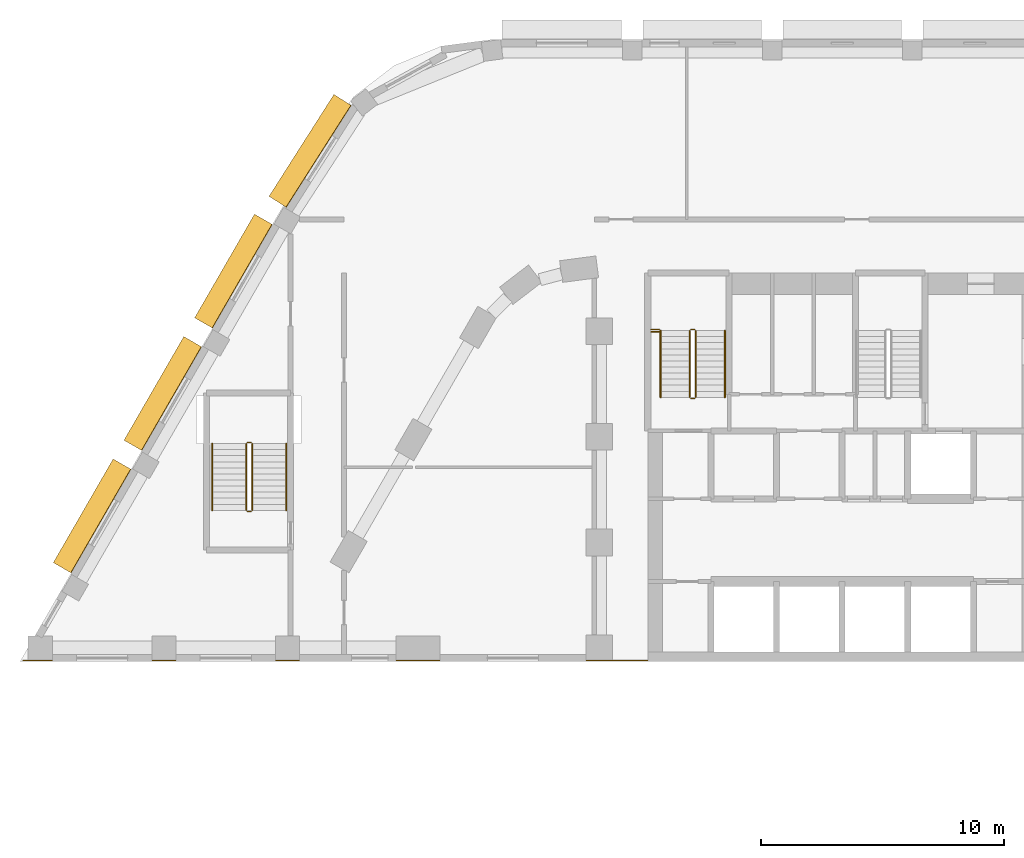
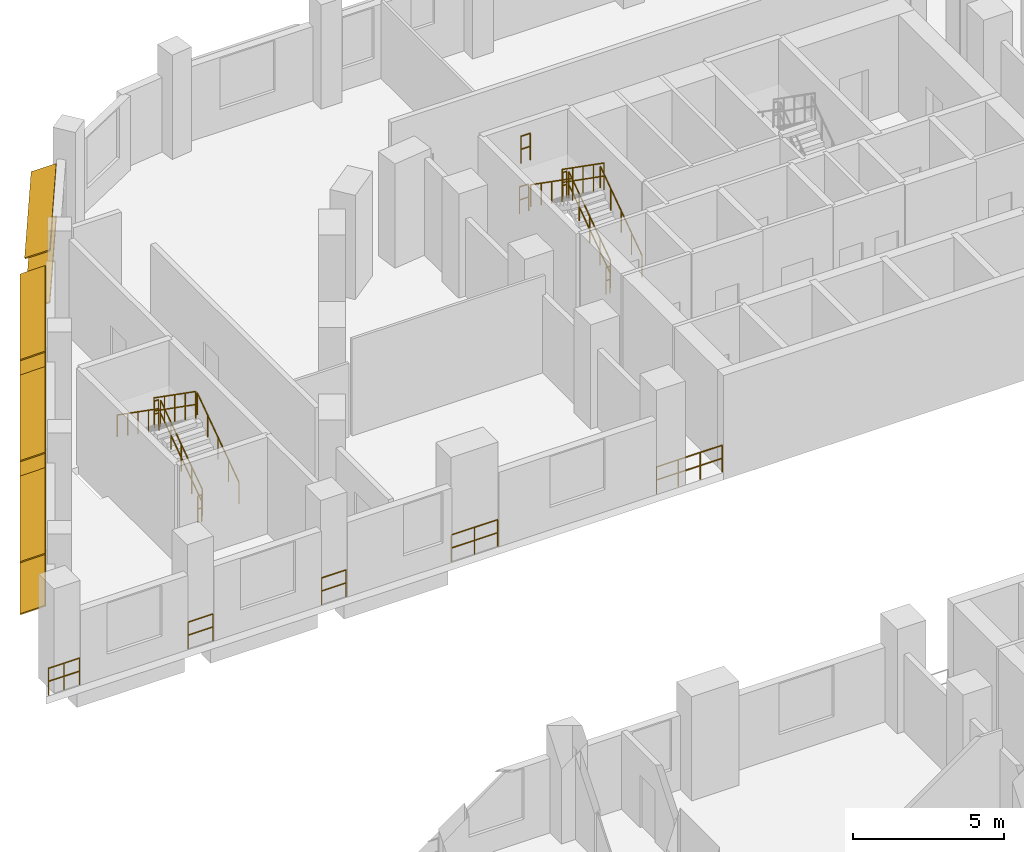
# One storey, part 41 of 47: 19 railings, 8 shading devices.
"""IFC4 building model written with IfcOpenShell, lengths in metres."""

from ifc_helpers import new_model, si_unit, direction, frame, origin, origin_2d, place, context, subcontext, project, spatial, rectangle, circle, extrude, material, material_profile, profile_set, type_object, element, save


model = new_model("IFC4")

# Units and contexts
model_context = context("Model", 3, precision=1e-05, world=origin(), true_north=direction((0.0, 1.0)))
body_context = subcontext(model_context, "Body", "Model", "MODEL_VIEW")
ifc_project = project(units=[si_unit("LENGTHUNIT", "METRE"), si_unit("AREAUNIT", "SQUARE_METRE"), si_unit("VOLUMEUNIT", "CUBIC_METRE"), si_unit("PLANEANGLEUNIT", "RADIAN"), si_unit("MASSUNIT", "GRAM", prefix="KILO")], contexts=[model_context])

# Site, building, storey
site_placement = place(None, origin())
site = spatial("IfcSite", under=ifc_project, at=site_placement, CompositionType="ELEMENT")
building_placement = place(site_placement, origin())
building = spatial("IfcBuilding", under=site, at=building_placement, Name="Nakaniwa Court", CompositionType="ELEMENT")
storey_placement = place(building_placement, frame((0.0, 0.0, 15.60009765625)))
storey = spatial("IfcBuildingStorey", under=building, at=storey_placement, Name="L03", CompositionType="ELEMENT", Elevation=15.60009765625)

# Shading devices
ifc_material_1 = material(Name="Perforated charcoal ceramic louvre blade")
ifc_material_profile = material_profile(ifc_material_1, rectangle(XDim=0.89990234375, YDim=0.050048828125, at=origin_2d()), Name="Perforated ceramic louvre blade")
ifc_profile_set = profile_set([ifc_material_profile], Name="Perforated charcoal ceramic louvre blade")
shading_device_type = type_object("IfcShadingDeviceType", Name="Perforated ceramic louvre blade", PredefinedType="JALOUSIE", material=ifc_profile_set)
for number, where, z_axis, x_axis, name in (
    (1, (56.184814453125, 105.6015625, 0.5498046875), (-0.499988503985, -0.86603204091, 0.0), (0.800109277096, -0.461929145323, 0.382683432365), "L03 perforated ceramic louvre blade w27 1"),
    (2, (56.184814453125, 105.6015625, 2.64990234375), (-0.499988503985, -0.86603204091, 0.0), (0.800109277096, -0.461929145323, 0.382683432365), "L03 perforated ceramic louvre blade w27 2"),
    (3, (53.2763671875, 100.564208984375, 0.5498046875), (-0.499951322638, -0.866053505849, 0.0), (0.800129108113, -0.461894794237, 0.382683432365), "L03 perforated ceramic louvre blade w28 1"),
    (4, (53.2763671875, 100.564208984375, 2.64990234375), (-0.499951322638, -0.866053505849, 0.0), (0.800129108113, -0.461894794237, 0.382683432365), "L03 perforated ceramic louvre blade w28 2"),
    (5, (50.3681640625, 95.526611328125, 0.5498046875), (-0.500009969958, -0.86601964755, 0.0), (0.800097827124, -0.461948977295, 0.382683432365), "L03 perforated ceramic louvre blade w29 1"),
    (6, (50.3681640625, 95.526611328125, 2.64990234375), (-0.500009969958, -0.86601964755, 0.0), (0.800097827124, -0.461948977295, 0.382683432365), "L03 perforated ceramic louvre blade w29 2"),
):
    element("IfcShadingDevice", number, at=place(storey_placement, frame(where, z_axis=z_axis, x_axis=x_axis)), inside=storey, type_object=shading_device_type, Name=name, PredefinedType="JALOUSIE", context=body_context, shape_type="SweptSolid", body=[
        extrude(rectangle(XDim=0.89990234375, YDim=0.050048828125, at=origin_2d()), origin(), (0.0, 0.0, 1.0), 4.9248046875),
    ])
for number, where, z_axis, x_axis, name in (
    (7, (59.44287109375, 110.513427734375, 0.5498046875), (-0.537237750098, -0.843430850675, 0.0), (0.775805827955, -0.494162831713, 0.392337116604), "L03 perforated ceramic louvre blade w53 1"),
    (8, (59.44287109375, 110.513427734375, 2.64990234375), (-0.537237750098, -0.843430850675, 0.0), (0.775805827955, -0.494162831713, 0.392337116604), "L03 perforated ceramic louvre blade w53 2"),
):
    element("IfcShadingDevice", number, at=place(storey_placement, frame(where, z_axis=z_axis, x_axis=x_axis)), inside=storey, type_object=shading_device_type, Name=name, PredefinedType="JALOUSIE", context=body_context, shape_type="SweptSolid", body=[
        extrude(rectangle(XDim=0.89990234375, YDim=0.050048828125, at=origin_2d()), origin(), (0.0, 0.0, 1.0), 4.970703125),
    ])

# Railings
ifc_material_2 = material(Name="Black powder coated steel guard", Category="steel")
railing_type_1 = type_object("IfcRailingType", Name="Stair guard 1100", PredefinedType="GUARDRAIL", material=ifc_material_2)
railing_1_placement = place(storey_placement, frame((73.97509765625, 98.27490234375, 0.1748046875)))
element("IfcRailing", 9, at=railing_1_placement, inside=storey, type_object=railing_type_1, Name="L03 ST1 stair guard 1", PredefinedType="GUARDRAIL", context=body_context, shape_type="SweptSolid", body=[
    extrude(circle(Radius=0.02392578125, at=origin_2d()), frame((0.0, 0.0, 1.076171875), z_axis=(0.0, 0.819225086817, 0.573472106672), x_axis=(-1.0, 0.0, 0.0)), (0.0, 0.0, 1.0), 3.35693359375),
    extrude(circle(Radius=0.02392578125, at=origin_2d()), frame((0.0, 0.0, 0.550048828125), z_axis=(0.0, 0.819225086817, 0.573472106672), x_axis=(-1.0, 0.0, 0.0)), (0.0, 0.0, 1.0), 3.35693359375),
    extrude(circle(Radius=0.02099609375, at=origin_2d()), origin(), (0.0, 0.0, 1.0), 1.052001953125),
    extrude(circle(Radius=0.02099609375, at=origin_2d()), frame((0.0, 0.6875, 0.481201171875)), (0.0, 0.0, 1.0), 1.052001953125),
    extrude(circle(Radius=0.02099609375, at=origin_2d()), frame((0.0, 1.375, 0.96240234375)), (0.0, 0.0, 1.0), 1.052001953125),
    extrude(circle(Radius=0.02099609375, at=origin_2d()), frame((0.0, 2.0625, 1.44384765625)), (0.0, 0.0, 1.0), 1.052001953125),
    extrude(circle(Radius=0.02099609375, at=origin_2d()), frame((0.0, 2.75, 1.925048828125)), (0.0, 0.0, 1.0), 1.052001953125),
])
railing_2_placement = place(storey_placement, frame((73.925048828125, 101.074951171875, 2.099853515625)))
element("IfcRailing", 10, at=railing_2_placement, inside=storey, type_object=railing_type_1, Name="L03 ST1 stair guard 2", PredefinedType="GUARDRAIL", context=body_context, shape_type="SweptSolid", body=[
    extrude(circle(Radius=0.02392578125, at=origin_2d()), frame((0.0, 0.0, 1.076171875), z_axis=(-1.0, 0.0, 0.0), x_axis=(0.0, -1.0, 0.0)), (0.0, 0.0, 1.0), 0.150146484375),
    extrude(circle(Radius=0.02392578125, at=origin_2d()), frame((0.0, 0.0, 0.550048828125), z_axis=(-1.0, 0.0, 0.0), x_axis=(0.0, -1.0, 0.0)), (0.0, 0.0, 1.0), 0.150146484375),
    extrude(circle(Radius=0.02099609375, at=origin_2d()), origin(), (0.0, 0.0, 1.0), 1.052001953125),
    extrude(circle(Radius=0.02099609375, at=origin_2d()), frame((-0.150146484375, 0.0, 0.0)), (0.0, 0.0, 1.0), 1.052001953125),
])
railing_3_placement = place(storey_placement, frame((73.72509765625, 101.02490234375, 2.27490234375)))
element("IfcRailing", 11, at=railing_3_placement, inside=storey, type_object=railing_type_1, Name="L03 ST1 stair guard 3", PredefinedType="GUARDRAIL", context=body_context, shape_type="SweptSolid", body=[
    extrude(circle(Radius=0.02392578125, at=origin_2d()), frame((0.0, 0.0, 1.076171875), z_axis=(0.0, -0.819225086817, 0.573472106672), x_axis=(1.0, 0.0, 0.0)), (0.0, 0.0, 1.0), 3.35693359375),
    extrude(circle(Radius=0.02392578125, at=origin_2d()), frame((0.0, 0.0, 0.550048828125), z_axis=(0.0, -0.819225086817, 0.573472106672), x_axis=(1.0, 0.0, 0.0)), (0.0, 0.0, 1.0), 3.35693359375),
    extrude(circle(Radius=0.02099609375, at=origin_2d()), origin(), (0.0, 0.0, 1.0), 1.052001953125),
    extrude(circle(Radius=0.02099609375, at=origin_2d()), frame((0.0, -0.6875, 0.481201171875)), (0.0, 0.0, 1.0), 1.052001953125),
    extrude(circle(Radius=0.02099609375, at=origin_2d()), frame((0.0, -1.375, 0.96240234375)), (0.0, 0.0, 1.0), 1.052001953125),
    extrude(circle(Radius=0.02099609375, at=origin_2d()), frame((0.0, -2.0625, 1.44384765625)), (0.0, 0.0, 1.0), 1.052001953125),
    extrude(circle(Radius=0.02099609375, at=origin_2d()), frame((0.0, -2.75, 1.925048828125)), (0.0, 0.0, 1.0), 1.052001953125),
])
railing_4_placement = place(storey_placement, frame((73.925048828125, 98.22509765625, 0.0)))
element("IfcRailing", 12, at=railing_4_placement, inside=storey, type_object=railing_type_1, Name="L03 ST1 stair guard 4", PredefinedType="GUARDRAIL", context=body_context, shape_type="SweptSolid", body=[
    extrude(circle(Radius=0.02392578125, at=origin_2d()), frame((0.0, 0.0, 1.076171875), z_axis=(-1.0, 0.0, 0.0), x_axis=(0.0, -1.0, 0.0)), (0.0, 0.0, 1.0), 0.150146484375),
    extrude(circle(Radius=0.02392578125, at=origin_2d()), frame((0.0, 0.0, 0.550048828125), z_axis=(-1.0, 0.0, 0.0), x_axis=(0.0, -1.0, 0.0)), (0.0, 0.0, 1.0), 0.150146484375),
    extrude(circle(Radius=0.02099609375, at=origin_2d()), origin(), (0.0, 0.0, 1.0), 1.052001953125),
    extrude(circle(Radius=0.02099609375, at=origin_2d()), frame((-0.150146484375, 0.0, 0.0)), (0.0, 0.0, 1.0), 1.052001953125),
])
for number, where, name in (
    (13, (72.125, 101.074951171875, 2.099853515625), "L03 ST1 landing side guard 1W"),
    (14, (72.125, 100.97509765625, 4.199951171875), "L03 ST1 floor edge guard 1W"),
):
    element("IfcRailing", number, at=place(storey_placement, frame(where)), inside=storey, type_object=railing_type_1, Name=name, PredefinedType="GUARDRAIL", context=body_context, shape_type="SweptSolid", body=[
        extrude(circle(Radius=0.02392578125, at=origin_2d()), frame((0.0, 0.0, 1.076171875), z_axis=(1.0, 0.0, 0.0), x_axis=(0.0, 1.0, 0.0)), (0.0, 0.0, 1.0), 0.35009765625),
        extrude(circle(Radius=0.02392578125, at=origin_2d()), frame((0.0, 0.0, 0.550048828125), z_axis=(1.0, 0.0, 0.0), x_axis=(0.0, 1.0, 0.0)), (0.0, 0.0, 1.0), 0.35009765625),
        extrude(circle(Radius=0.02099609375, at=origin_2d()), origin(), (0.0, 0.0, 1.0), 1.052001953125),
        extrude(circle(Radius=0.02099609375, at=origin_2d()), frame((0.35009765625, 0.0, 0.0)), (0.0, 0.0, 1.0), 1.052001953125),
    ])
railing_5_placement = place(storey_placement, frame((55.72509765625, 93.625, 0.1748046875)))
element("IfcRailing", 15, at=railing_5_placement, inside=storey, type_object=railing_type_1, Name="L03 SS2 stair guard 1", PredefinedType="GUARDRAIL", context=body_context, shape_type="SweptSolid", body=[
    extrude(circle(Radius=0.02392578125, at=origin_2d()), frame((0.0, 0.0, 1.076171875), z_axis=(0.0, 0.819225086817, 0.573472106672), x_axis=(-1.0, 0.0, 0.0)), (0.0, 0.0, 1.0), 3.35693359375),
    extrude(circle(Radius=0.02392578125, at=origin_2d()), frame((0.0, 0.0, 0.550048828125), z_axis=(0.0, 0.819225086817, 0.573472106672), x_axis=(-1.0, 0.0, 0.0)), (0.0, 0.0, 1.0), 3.35693359375),
    extrude(circle(Radius=0.02099609375, at=origin_2d()), origin(), (0.0, 0.0, 1.0), 1.052001953125),
    extrude(circle(Radius=0.02099609375, at=origin_2d()), frame((0.0, 0.6875, 0.481201171875)), (0.0, 0.0, 1.0), 1.052001953125),
    extrude(circle(Radius=0.02099609375, at=origin_2d()), frame((0.0, 1.375, 0.96240234375)), (0.0, 0.0, 1.0), 1.052001953125),
    extrude(circle(Radius=0.02099609375, at=origin_2d()), frame((0.0, 2.0625, 1.44384765625)), (0.0, 0.0, 1.0), 1.052001953125),
    extrude(circle(Radius=0.02099609375, at=origin_2d()), frame((0.0, 2.75, 1.925048828125)), (0.0, 0.0, 1.0), 1.052001953125),
])
railing_6_placement = place(storey_placement, frame((55.675048828125, 96.425048828125, 2.099853515625)))
element("IfcRailing", 16, at=railing_6_placement, inside=storey, type_object=railing_type_1, Name="L03 SS2 stair guard 2", PredefinedType="GUARDRAIL", context=body_context, shape_type="SweptSolid", body=[
    extrude(circle(Radius=0.02392578125, at=origin_2d()), frame((0.0, 0.0, 1.076171875), z_axis=(-1.0, 0.0, 0.0), x_axis=(0.0, -1.0, 0.0)), (0.0, 0.0, 1.0), 0.150146484375),
    extrude(circle(Radius=0.02392578125, at=origin_2d()), frame((0.0, 0.0, 0.550048828125), z_axis=(-1.0, 0.0, 0.0), x_axis=(0.0, -1.0, 0.0)), (0.0, 0.0, 1.0), 0.150146484375),
    extrude(circle(Radius=0.02099609375, at=origin_2d()), origin(), (0.0, 0.0, 1.0), 1.052001953125),
    extrude(circle(Radius=0.02099609375, at=origin_2d()), frame((-0.150146484375, 0.0, 0.0)), (0.0, 0.0, 1.0), 1.052001953125),
])
railing_7_placement = place(storey_placement, frame((55.47509765625, 96.375, 2.27490234375)))
element("IfcRailing", 17, at=railing_7_placement, inside=storey, type_object=railing_type_1, Name="L03 SS2 stair guard 3", PredefinedType="GUARDRAIL", context=body_context, shape_type="SweptSolid", body=[
    extrude(circle(Radius=0.02392578125, at=origin_2d()), frame((0.0, 0.0, 1.076171875), z_axis=(0.0, -0.819225086817, 0.573472106672), x_axis=(1.0, 0.0, 0.0)), (0.0, 0.0, 1.0), 3.35693359375),
    extrude(circle(Radius=0.02392578125, at=origin_2d()), frame((0.0, 0.0, 0.550048828125), z_axis=(0.0, -0.819225086817, 0.573472106672), x_axis=(1.0, 0.0, 0.0)), (0.0, 0.0, 1.0), 3.35693359375),
    extrude(circle(Radius=0.02099609375, at=origin_2d()), origin(), (0.0, 0.0, 1.0), 1.052001953125),
    extrude(circle(Radius=0.02099609375, at=origin_2d()), frame((0.0, -0.6875, 0.481201171875)), (0.0, 0.0, 1.0), 1.052001953125),
    extrude(circle(Radius=0.02099609375, at=origin_2d()), frame((0.0, -1.375, 0.96240234375)), (0.0, 0.0, 1.0), 1.052001953125),
    extrude(circle(Radius=0.02099609375, at=origin_2d()), frame((0.0, -2.0625, 1.44384765625)), (0.0, 0.0, 1.0), 1.052001953125),
    extrude(circle(Radius=0.02099609375, at=origin_2d()), frame((0.0, -2.75, 1.925048828125)), (0.0, 0.0, 1.0), 1.052001953125),
])
railing_8_placement = place(storey_placement, frame((55.675048828125, 93.574951171875, 0.0)))
element("IfcRailing", 18, at=railing_8_placement, inside=storey, type_object=railing_type_1, Name="L03 SS2 stair guard 4", PredefinedType="GUARDRAIL", context=body_context, shape_type="SweptSolid", body=[
    extrude(circle(Radius=0.02392578125, at=origin_2d()), frame((0.0, 0.0, 1.076171875), z_axis=(-1.0, 0.0, 0.0), x_axis=(0.0, -1.0, 0.0)), (0.0, 0.0, 1.0), 0.150146484375),
    extrude(circle(Radius=0.02392578125, at=origin_2d()), frame((0.0, 0.0, 0.550048828125), z_axis=(-1.0, 0.0, 0.0), x_axis=(0.0, -1.0, 0.0)), (0.0, 0.0, 1.0), 0.150146484375),
    extrude(circle(Radius=0.02099609375, at=origin_2d()), origin(), (0.0, 0.0, 1.0), 1.052001953125),
    extrude(circle(Radius=0.02099609375, at=origin_2d()), frame((-0.150146484375, 0.0, 0.0)), (0.0, 0.0, 1.0), 1.052001953125),
])
railing_9_placement = place(storey_placement, frame((71.985107421875, 87.449951171875, 0.0)))
element("IfcRailing", 19, at=railing_9_placement, inside=storey, type_object=railing_type_1, Name="GUARD GD-L03-056", PredefinedType="GUARDRAIL", context=body_context, shape_type="SweptSolid", body=[
    extrude(circle(Radius=0.02392578125, at=origin_2d()), frame((0.0, 0.0, 1.076171875), z_axis=(-1.0, 0.0, 0.0), x_axis=(0.0, -1.0, 0.0)), (0.0, 0.0, 1.0), 2.507080078125),
    extrude(circle(Radius=0.02392578125, at=origin_2d()), frame((0.0, 0.0, 0.550048828125), z_axis=(-1.0, 0.0, 0.0), x_axis=(0.0, -1.0, 0.0)), (0.0, 0.0, 1.0), 2.507080078125),
    extrude(circle(Radius=0.02099609375, at=origin_2d()), origin(), (0.0, 0.0, 1.0), 1.052001953125),
    extrude(circle(Radius=0.02099609375, at=origin_2d()), frame((-0.835693359375, 0.0, 0.0)), (0.0, 0.0, 1.0), 1.052001953125),
    extrude(circle(Radius=0.02099609375, at=origin_2d()), frame((-1.67138671875, 0.0, 0.0)), (0.0, 0.0, 1.0), 1.052001953125),
    extrude(circle(Radius=0.02099609375, at=origin_2d()), frame((-2.507080078125, 0.0, 0.0)), (0.0, 0.0, 1.0), 1.052001953125),
])
railing_10_placement = place(storey_placement, frame((63.426025390625, 87.449951171875, 0.0)))
element("IfcRailing", 20, at=railing_10_placement, inside=storey, type_object=railing_type_1, Name="GUARD GD-L03-057", PredefinedType="GUARDRAIL", context=body_context, shape_type="SweptSolid", body=[
    extrude(circle(Radius=0.02392578125, at=origin_2d()), frame((0.0, 0.0, 1.076171875), z_axis=(-1.0, 0.0, 0.0), x_axis=(0.0, -1.0, 0.0)), (0.0, 0.0, 1.0), 1.768310546875),
    extrude(circle(Radius=0.02392578125, at=origin_2d()), frame((0.0, 0.0, 0.550048828125), z_axis=(-1.0, 0.0, 0.0), x_axis=(0.0, -1.0, 0.0)), (0.0, 0.0, 1.0), 1.768310546875),
    extrude(circle(Radius=0.02099609375, at=origin_2d()), origin(), (0.0, 0.0, 1.0), 1.052001953125),
    extrude(circle(Radius=0.02099609375, at=origin_2d()), frame((-0.88427734375, 0.0, 0.0)), (0.0, 0.0, 1.0), 1.052001953125),
    extrude(circle(Radius=0.02099609375, at=origin_2d()), frame((-1.768310546875, 0.0, 0.0)), (0.0, 0.0, 1.0), 1.052001953125),
])
railing_11_placement = place(storey_placement, frame((57.643310546875, 87.449951171875, 0.0)))
element("IfcRailing", 21, at=railing_11_placement, inside=storey, type_object=railing_type_1, Name="GUARD GD-L03-058", PredefinedType="GUARDRAIL", context=body_context, shape_type="SweptSolid", body=[
    extrude(circle(Radius=0.02392578125, at=origin_2d()), frame((0.0, 0.0, 1.076171875), z_axis=(-1.0, 0.0, 0.0), x_axis=(0.0, -1.0, 0.0)), (0.0, 0.0, 1.0), 0.939453125),
    extrude(circle(Radius=0.02392578125, at=origin_2d()), frame((0.0, 0.0, 0.550048828125), z_axis=(-1.0, 0.0, 0.0), x_axis=(0.0, -1.0, 0.0)), (0.0, 0.0, 1.0), 0.939453125),
    extrude(circle(Radius=0.02099609375, at=origin_2d()), origin(), (0.0, 0.0, 1.0), 1.052001953125),
    extrude(circle(Radius=0.02099609375, at=origin_2d()), frame((-0.939453125, 0.0, 0.0)), (0.0, 0.0, 1.0), 1.052001953125),
])
railing_12_placement = place(storey_placement, frame((52.569580078125, 87.449951171875, 0.0)))
element("IfcRailing", 22, at=railing_12_placement, inside=storey, type_object=railing_type_1, Name="GUARD GD-L03-059", PredefinedType="GUARDRAIL", context=body_context, shape_type="SweptSolid", body=[
    extrude(circle(Radius=0.02392578125, at=origin_2d()), frame((0.0, 0.0, 1.076171875), z_axis=(-1.0, 0.0, 0.0), x_axis=(0.0, -1.0, 0.0)), (0.0, 0.0, 1.0), 0.95947265625),
    extrude(circle(Radius=0.02392578125, at=origin_2d()), frame((0.0, 0.0, 0.550048828125), z_axis=(-1.0, 0.0, 0.0), x_axis=(0.0, -1.0, 0.0)), (0.0, 0.0, 1.0), 0.95947265625),
    extrude(circle(Radius=0.02099609375, at=origin_2d()), origin(), (0.0, 0.0, 1.0), 1.052001953125),
    extrude(circle(Radius=0.02099609375, at=origin_2d()), frame((-0.95947265625, 0.0, 0.0)), (0.0, 0.0, 1.0), 1.052001953125),
])
railing_13_placement = place(storey_placement, frame((47.486083984375, 87.449951171875, 0.0)))
element("IfcRailing", 23, at=railing_13_placement, inside=storey, type_object=railing_type_1, Name="GUARD GD-L03-060", PredefinedType="GUARDRAIL", context=body_context, shape_type="SweptSolid", body=[
    extrude(circle(Radius=0.02392578125, at=origin_2d()), frame((0.0, 0.0, 1.076171875), z_axis=(-1.0, 0.0, 0.0), x_axis=(0.0, -1.0, 0.0)), (0.0, 0.0, 1.0), 1.18896484375),
    extrude(circle(Radius=0.02392578125, at=origin_2d()), frame((0.0, 0.0, 0.550048828125), z_axis=(-1.0, 0.0, 0.0), x_axis=(0.0, -1.0, 0.0)), (0.0, 0.0, 1.0), 1.18896484375),
    extrude(circle(Radius=0.02099609375, at=origin_2d()), origin(), (0.0, 0.0, 1.0), 1.052001953125),
    extrude(circle(Radius=0.02099609375, at=origin_2d()), frame((-0.594482421875, 0.0, 0.0)), (0.0, 0.0, 1.0), 1.052001953125),
    extrude(circle(Radius=0.02099609375, at=origin_2d()), frame((-1.18896484375, 0.0, 0.0)), (0.0, 0.0, 1.0), 1.052001953125),
])
ifc_material_3 = material(Name="Black powder coated steel handrail", Category="steel")
railing_type_2 = type_object("IfcRailingType", Name="Stair handrail 900", PredefinedType="HANDRAIL", material=ifc_material_3)
railing_14_placement = place(storey_placement, frame((75.175048828125, 98.27490234375, 0.1748046875)))
element("IfcRailing", 24, at=railing_14_placement, inside=storey, type_object=railing_type_2, Name="L03 ST1 stair handrail 1", PredefinedType="HANDRAIL", context=body_context, shape_type="SweptSolid", body=[
    extrude(circle(Radius=0.02392578125, at=origin_2d()), frame((0.0, 0.0, 0.8759765625), z_axis=(0.0, 0.819225086817, 0.573472106672), x_axis=(-1.0, 0.0, 0.0)), (0.0, 0.0, 1.0), 3.35693359375),
    extrude(circle(Radius=0.02099609375, at=origin_2d()), origin(), (0.0, 0.0, 1.0), 0.851806640625),
    extrude(circle(Radius=0.02099609375, at=origin_2d()), frame((0.0, 0.6875, 0.481201171875)), (0.0, 0.0, 1.0), 0.851806640625),
    extrude(circle(Radius=0.02099609375, at=origin_2d()), frame((0.0, 1.375, 0.96240234375)), (0.0, 0.0, 1.0), 0.851806640625),
    extrude(circle(Radius=0.02099609375, at=origin_2d()), frame((0.0, 2.0625, 1.44384765625)), (0.0, 0.0, 1.0), 0.851806640625),
    extrude(circle(Radius=0.02099609375, at=origin_2d()), frame((0.0, 2.75, 1.925048828125)), (0.0, 0.0, 1.0), 0.851806640625),
])
railing_15_placement = place(storey_placement, frame((72.52490234375, 101.02490234375, 2.27490234375)))
element("IfcRailing", 25, at=railing_15_placement, inside=storey, type_object=railing_type_2, Name="L03 ST1 stair handrail 2", PredefinedType="HANDRAIL", context=body_context, shape_type="SweptSolid", body=[
    extrude(circle(Radius=0.02392578125, at=origin_2d()), frame((0.0, 0.0, 0.8759765625), z_axis=(0.0, -0.819225086817, 0.573472106672), x_axis=(1.0, 0.0, 0.0)), (0.0, 0.0, 1.0), 3.35693359375),
    extrude(circle(Radius=0.02099609375, at=origin_2d()), origin(), (0.0, 0.0, 1.0), 0.851806640625),
    extrude(circle(Radius=0.02099609375, at=origin_2d()), frame((0.0, -0.6875, 0.481201171875)), (0.0, 0.0, 1.0), 0.851806640625),
    extrude(circle(Radius=0.02099609375, at=origin_2d()), frame((0.0, -1.375, 0.96240234375)), (0.0, 0.0, 1.0), 0.851806640625),
    extrude(circle(Radius=0.02099609375, at=origin_2d()), frame((0.0, -2.0625, 1.44384765625)), (0.0, 0.0, 1.0), 0.851806640625),
    extrude(circle(Radius=0.02099609375, at=origin_2d()), frame((0.0, -2.75, 1.925048828125)), (0.0, 0.0, 1.0), 0.851806640625),
])
railing_16_placement = place(storey_placement, frame((57.125, 93.625, 0.1748046875)))
element("IfcRailing", 26, at=railing_16_placement, inside=storey, type_object=railing_type_2, Name="L03 SS2 stair handrail 1", PredefinedType="HANDRAIL", context=body_context, shape_type="SweptSolid", body=[
    extrude(circle(Radius=0.02392578125, at=origin_2d()), frame((0.0, 0.0, 0.8759765625), z_axis=(0.0, 0.819225086817, 0.573472106672), x_axis=(-1.0, 0.0, 0.0)), (0.0, 0.0, 1.0), 3.35693359375),
    extrude(circle(Radius=0.02099609375, at=origin_2d()), origin(), (0.0, 0.0, 1.0), 0.851806640625),
    extrude(circle(Radius=0.02099609375, at=origin_2d()), frame((0.0, 0.6875, 0.481201171875)), (0.0, 0.0, 1.0), 0.851806640625),
    extrude(circle(Radius=0.02099609375, at=origin_2d()), frame((0.0, 1.375, 0.96240234375)), (0.0, 0.0, 1.0), 0.851806640625),
    extrude(circle(Radius=0.02099609375, at=origin_2d()), frame((0.0, 2.0625, 1.44384765625)), (0.0, 0.0, 1.0), 0.851806640625),
    extrude(circle(Radius=0.02099609375, at=origin_2d()), frame((0.0, 2.75, 1.925048828125)), (0.0, 0.0, 1.0), 0.851806640625),
])
railing_17_placement = place(storey_placement, frame((54.074951171875, 96.375, 2.27490234375)))
element("IfcRailing", 27, at=railing_17_placement, inside=storey, type_object=railing_type_2, Name="L03 SS2 stair handrail 2", PredefinedType="HANDRAIL", context=body_context, shape_type="SweptSolid", body=[
    extrude(circle(Radius=0.02392578125, at=origin_2d()), frame((0.0, 0.0, 0.8759765625), z_axis=(0.0, -0.819225086817, 0.573472106672), x_axis=(1.0, 0.0, 0.0)), (0.0, 0.0, 1.0), 3.35693359375),
    extrude(circle(Radius=0.02099609375, at=origin_2d()), origin(), (0.0, 0.0, 1.0), 0.851806640625),
    extrude(circle(Radius=0.02099609375, at=origin_2d()), frame((0.0, -0.6875, 0.481201171875)), (0.0, 0.0, 1.0), 0.851806640625),
    extrude(circle(Radius=0.02099609375, at=origin_2d()), frame((0.0, -1.375, 0.96240234375)), (0.0, 0.0, 1.0), 0.851806640625),
    extrude(circle(Radius=0.02099609375, at=origin_2d()), frame((0.0, -2.0625, 1.44384765625)), (0.0, 0.0, 1.0), 0.851806640625),
    extrude(circle(Radius=0.02099609375, at=origin_2d()), frame((0.0, -2.75, 1.925048828125)), (0.0, 0.0, 1.0), 0.851806640625),
])

save(model, "model.ifc")
